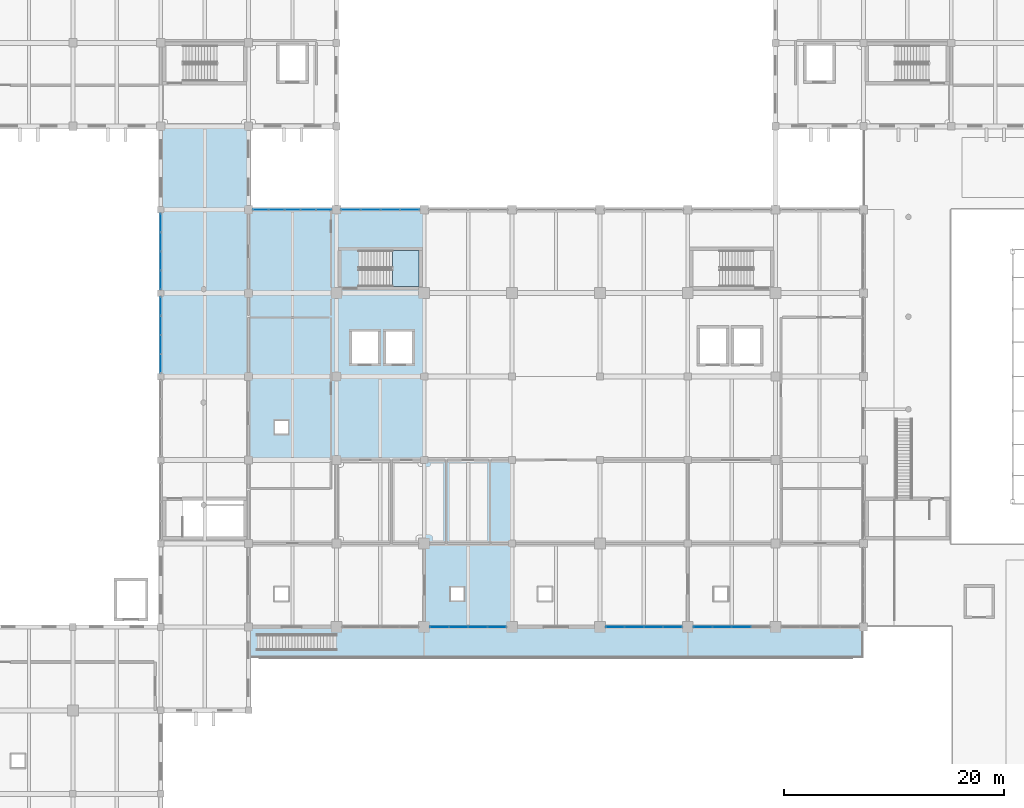
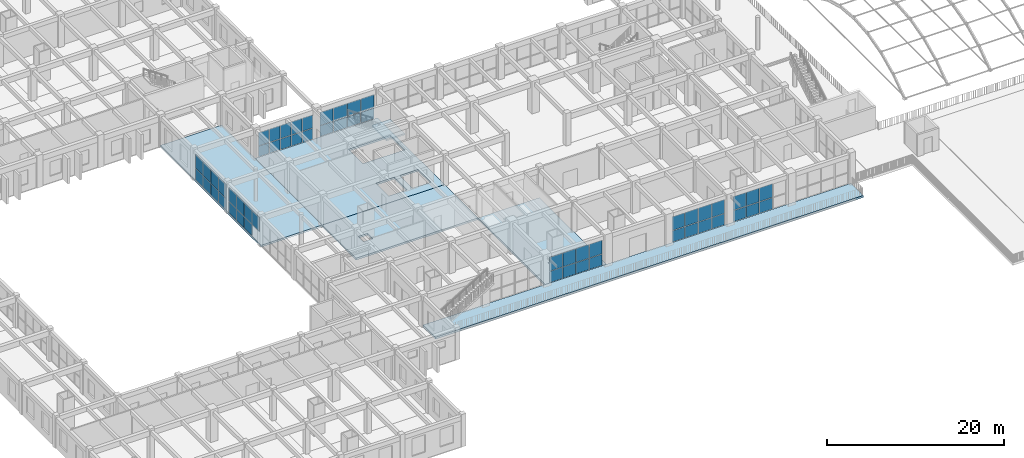
# One storey, part 43 of 79: 55 plates, 6 slabs, 8 elements without a shape of their own.
"""IFC4 building model written with IfcOpenShell, lengths in metres."""

from ifc_helpers import new_model, si_unit, direction, frame, origin, origin_2d, place, context, subcontext, project, spatial, polyline, rectangle, outline, extrude, material, layer, layer_set, type_object, element, aggregate, save


model = new_model("IFC4")

# Units and contexts
model_context = context("Model", 3, precision=1e-05, world=origin(), true_north=direction((0.0, 1.0)))
body_context = subcontext(model_context, "Body", "Model", "MODEL_VIEW")
ifc_project = project(units=[si_unit("LENGTHUNIT", "METRE"), si_unit("AREAUNIT", "SQUARE_METRE"), si_unit("VOLUMEUNIT", "CUBIC_METRE"), si_unit("PLANEANGLEUNIT", "RADIAN"), si_unit("MASSUNIT", "GRAM", prefix="KILO")], contexts=[model_context])

# Site, building, storey
site_placement = place(None, origin())
site = spatial("IfcSite", under=ifc_project, at=site_placement, CompositionType="ELEMENT")
building_placement = place(site_placement, origin())
building = spatial("IfcBuilding", under=site, at=building_placement, Name="Zantavel Square City Hall", CompositionType="ELEMENT")
storey_placement = place(building_placement, frame((0.0, 0.0, 10.199951171875)))
storey = spatial("IfcBuildingStorey", under=building, at=storey_placement, Name="L03", CompositionType="ELEMENT", Elevation=10.199951171875)

# Stair, slab
ifc_material_1 = material(Name="Concrete C35/45", Category="concrete")
stair_type = type_object("IfcStairType", Name="Enclosed Core Dogleg Stair L03 H4500", PredefinedType="HALF_TURN_STAIR", material=ifc_material_1)
stair_placement = place(storey_placement, origin())
stair = element("IfcStair", 1, at=stair_placement, inside=storey, type_object=stair_type, Name="L03 Exit Stair 5 Central West Core", PredefinedType="HALF_TURN_STAIR")
ifc_layer_1 = layer(ifc_material_1, 0.2099609375, Name="Concrete C35/45")
ifc_layer_set_1 = layer_set([ifc_layer_1], Name="Concrete C35/45")
slab_type_1 = type_object("IfcSlabType", Name="Core Stair Half-Landing Slab C35/45", PredefinedType="LANDING", material=ifc_layer_set_1)
slab_1_placement = place(storey_placement, frame((0.0, 0.0, 2.050048828125)))
slab_1 = element("IfcSlab", 2, at=slab_1_placement, type_object=slab_type_1, Name="ST5 landing 1", PredefinedType="LANDING", context=body_context, shape_type="SweptSolid", body=[
    extrude(outline(polyline([(69.110107421875, 61.39990234375), (71.530029296875, 61.39990234375), (71.530029296875, 64.669921875), (69.110107421875, 64.669921875), (69.110107421875, 61.39990234375)])), origin(), (0.0, 0.0, 1.0), 0.199951171875),
])
aggregate(stair, [slab_1])

# Slabs
ifc_layer_2 = layer(ifc_material_1, 0.260009765625, Name="Concrete C35/45")
ifc_layer_set_2 = layer_set([ifc_layer_2], Name="Concrete C35/45")
slab_type_2 = type_object("IfcSlabType", Name="Council & Executive Slab 260mm C35/45", PredefinedType="FLOOR", material=ifc_layer_set_2)
slab_2_placement = place(storey_placement, frame((0.0, 0.0, -0.260009765625)))
element("IfcSlab", 3, at=slab_2_placement, inside=storey, type_object=slab_type_2, Name="L03 Floor Slab SLB-L03-V1-02", PredefinedType="FLOOR", context=body_context, shape_type="SweptSolid", body=[
    extrude(outline(polyline([(80.0, 30.39990234375), (72.0, 30.39990234375), (72.0, 45.60009765625), (80.0, 45.60009765625), (80.0, 30.39990234375)]), holes=[polyline([(75.60009765625, 34.0), (74.39990234375, 34.0), (74.39990234375, 32.800048828125), (75.60009765625, 32.800048828125), (75.60009765625, 34.0)])]), origin(), (0.0, 0.0, 1.0), 0.260009765625),
])
slab_3_placement = place(storey_placement, frame((0.0, 0.0, -0.260009765625)))
element("IfcSlab", 4, at=slab_3_placement, inside=storey, type_object=slab_type_2, Name="L03 Floor Slab SLB-L03-V1-05", PredefinedType="FLOOR", context=body_context, shape_type="SweptSolid", body=[
    extrude(outline(polyline([(72.0, 53.199951171875), (72.0, 45.60009765625), (56.0, 45.60009765625), (56.0, 53.199951171875), (72.0, 53.199951171875)]), holes=[polyline([(59.60009765625, 49.199951171875), (58.39990234375, 49.199951171875), (58.39990234375, 48.0), (59.60009765625, 48.0), (59.60009765625, 49.199951171875)])]), origin(), (0.0, 0.0, 1.0), 0.260009765625),
])
slab_4_placement = place(storey_placement, frame((0.0, 0.0, -0.260009765625)))
element("IfcSlab", 5, at=slab_4_placement, inside=storey, type_object=slab_type_2, Name="L03 Floor Slab SLB-L03-V1-09", PredefinedType="FLOOR", context=body_context, shape_type="SweptSolid", body=[
    extrude(outline(polyline([(56.0, 53.199951171875), (56.0, 68.39990234375), (72.0, 68.39990234375), (72.0, 53.199951171875), (56.0, 53.199951171875)]), holes=[polyline([(66.050048828125, 61.39990234375), (71.530029296875, 61.39990234375), (71.530029296875, 64.669921875), (66.050048828125, 64.669921875), (66.050048828125, 61.39990234375)]), polyline([(65.39990234375, 57.300048828125), (65.39990234375, 54.39990234375), (67.800048828125, 54.39990234375), (67.800048828125, 57.300048828125), (65.39990234375, 57.300048828125)]), polyline([(70.89990234375, 57.300048828125), (68.5, 57.300048828125), (68.5, 54.39990234375), (70.89990234375, 54.39990234375), (70.89990234375, 57.300048828125)])]), origin(), (0.0, 0.0, 1.0), 0.260009765625),
])
slab_5_placement = place(storey_placement, frame((0.0, 0.0, -0.260009765625)))
element("IfcSlab", 6, at=slab_5_placement, inside=storey, type_object=slab_type_2, Name="L03 Floor Slab SLB-L03-V3E-02", PredefinedType="FLOOR", context=body_context, shape_type="SweptSolid", body=[
    extrude(outline(polyline([(56.0, 53.199951171875), (48.0, 53.199951171875), (48.0, 76.0), (56.0, 76.0), (56.0, 68.39990234375), (56.0, 53.199951171875)])), origin(), (0.0, 0.0, 1.0), 0.260009765625),
])

# Curtain wall, plates
ifc_material_2 = material(Name="Anodised aluminium 6063-T6", Category="aluminium")
curtain_wall_type_1 = type_object("IfcCurtainWallType", Name="Curtain Wall TRV1 7225x3470", PredefinedType="USERDEFINED", material=ifc_material_2)
curtain_wall_1_placement = place(storey_placement, origin())
curtain_wall_1 = element("IfcCurtainWall", 7, at=curtain_wall_1_placement, inside=storey, type_object=curtain_wall_type_1, Name="L03 Glazed Curtain Wall CW-L03-083", ObjectType="GLAZED CURTAIN WALL", PredefinedType="USERDEFINED")
ifc_material_3 = material(Name="Tempered safety glass low-E double glazing", Category="glass")
ifc_layer_3 = layer(ifc_material_3, 0.028076171875, Name="Tempered safety glass low-E double glazing")
ifc_layer_set_3 = layer_set([ifc_layer_3], Name="Tempered safety glass low-E double glazing")
plate_type_1 = type_object("IfcPlateType", Name="Low-E Curtain Glazing Panel 1445x1735x28", PredefinedType="CURTAIN_PANEL", material=ifc_layer_set_3)
plate_1_placement = place(storey_placement, frame((57.112548828125, 68.39990234375, 0.06005859375), z_axis=(0.0, 0.0, 1.0), x_axis=(1.0, 0.0, 0.0)))
plate_1 = element("IfcPlate", 8, at=plate_1_placement, type_object=plate_type_1, Name="CW-083 panel 1.1", PredefinedType="CURTAIN_PANEL", context=body_context, shape_type="SweptSolid", body=[
    extrude(rectangle(XDim=1.35498046875, YDim=0.028076171875, at=origin_2d()), origin(), (0.0, 0.0, 1.0), 1.471923828125),
])
plate_2_placement = place(storey_placement, frame((57.112548828125, 68.39990234375, 1.591796875), z_axis=(0.0, 0.0, 1.0), x_axis=(1.0, 0.0, 0.0)))
plate_2 = element("IfcPlate", 9, at=plate_2_placement, type_object=plate_type_1, Name="CW-083 panel 1.2", PredefinedType="CURTAIN_PANEL", context=body_context, shape_type="SweptSolid", body=[
    extrude(rectangle(XDim=1.35498046875, YDim=0.028076171875, at=origin_2d()), origin(), (0.0, 0.0, 1.0), 1.818115234375),
])
plate_3_placement = place(storey_placement, frame((58.54248046875, 68.39990234375, 0.06005859375), z_axis=(0.0, 0.0, 1.0), x_axis=(1.0, 0.0, 0.0)))
plate_3 = element("IfcPlate", 10, at=plate_3_placement, type_object=plate_type_1, Name="CW-083 panel 2.1", PredefinedType="CURTAIN_PANEL", context=body_context, shape_type="SweptSolid", body=[
    extrude(rectangle(XDim=1.385009765625, YDim=0.028076171875, at=origin_2d()), origin(), (0.0, 0.0, 1.0), 1.471923828125),
])
plate_4_placement = place(storey_placement, frame((58.54248046875, 68.39990234375, 1.591796875), z_axis=(0.0, 0.0, 1.0), x_axis=(1.0, 0.0, 0.0)))
plate_4 = element("IfcPlate", 11, at=plate_4_placement, type_object=plate_type_1, Name="CW-083 panel 2.2", PredefinedType="CURTAIN_PANEL", context=body_context, shape_type="SweptSolid", body=[
    extrude(rectangle(XDim=1.385009765625, YDim=0.028076171875, at=origin_2d()), origin(), (0.0, 0.0, 1.0), 1.818115234375),
])
plate_5_placement = place(storey_placement, frame((59.987548828125, 68.39990234375, 0.06005859375), z_axis=(0.0, 0.0, 1.0), x_axis=(1.0, 0.0, 0.0)))
plate_5 = element("IfcPlate", 12, at=plate_5_placement, type_object=plate_type_1, Name="CW-083 panel 3.1", PredefinedType="CURTAIN_PANEL", context=body_context, shape_type="SweptSolid", body=[
    extrude(rectangle(XDim=1.385009765625, YDim=0.028076171875, at=origin_2d()), origin(), (0.0, 0.0, 1.0), 1.471923828125),
])
plate_6_placement = place(storey_placement, frame((59.987548828125, 68.39990234375, 1.591796875), z_axis=(0.0, 0.0, 1.0), x_axis=(1.0, 0.0, 0.0)))
plate_6 = element("IfcPlate", 13, at=plate_6_placement, type_object=plate_type_1, Name="CW-083 panel 3.2", PredefinedType="CURTAIN_PANEL", context=body_context, shape_type="SweptSolid", body=[
    extrude(rectangle(XDim=1.385009765625, YDim=0.028076171875, at=origin_2d()), origin(), (0.0, 0.0, 1.0), 1.818115234375),
])
plate_7_placement = place(storey_placement, frame((61.4326171875, 68.39990234375, 0.06005859375), z_axis=(0.0, 0.0, 1.0), x_axis=(1.0, 0.0, 0.0)))
plate_7 = element("IfcPlate", 14, at=plate_7_placement, type_object=plate_type_1, Name="CW-083 panel 4.1", PredefinedType="CURTAIN_PANEL", context=body_context, shape_type="SweptSolid", body=[
    extrude(rectangle(XDim=1.385009765625, YDim=0.028076171875, at=origin_2d()), origin(), (0.0, 0.0, 1.0), 1.471923828125),
])
plate_8_placement = place(storey_placement, frame((61.4326171875, 68.39990234375, 1.591796875), z_axis=(0.0, 0.0, 1.0), x_axis=(1.0, 0.0, 0.0)))
plate_8 = element("IfcPlate", 15, at=plate_8_placement, type_object=plate_type_1, Name="CW-083 panel 4.2", PredefinedType="CURTAIN_PANEL", context=body_context, shape_type="SweptSolid", body=[
    extrude(rectangle(XDim=1.385009765625, YDim=0.028076171875, at=origin_2d()), origin(), (0.0, 0.0, 1.0), 1.818115234375),
])
plate_9_placement = place(storey_placement, frame((62.862548828125, 68.39990234375, 0.06005859375), z_axis=(0.0, 0.0, 1.0), x_axis=(1.0, 0.0, 0.0)))
plate_9 = element("IfcPlate", 16, at=plate_9_placement, type_object=plate_type_1, Name="CW-083 panel 5.1", PredefinedType="CURTAIN_PANEL", context=body_context, shape_type="SweptSolid", body=[
    extrude(rectangle(XDim=1.35498046875, YDim=0.028076171875, at=origin_2d()), origin(), (0.0, 0.0, 1.0), 1.471923828125),
])
plate_10_placement = place(storey_placement, frame((62.862548828125, 68.39990234375, 1.591796875), z_axis=(0.0, 0.0, 1.0), x_axis=(1.0, 0.0, 0.0)))
plate_10 = element("IfcPlate", 17, at=plate_10_placement, type_object=plate_type_1, Name="CW-083 panel 5.2", PredefinedType="CURTAIN_PANEL", context=body_context, shape_type="SweptSolid", body=[
    extrude(rectangle(XDim=1.35498046875, YDim=0.028076171875, at=origin_2d()), origin(), (0.0, 0.0, 1.0), 1.818115234375),
])
aggregate(curtain_wall_1, [plate_1, plate_2, plate_3, plate_4, plate_5, plate_6, plate_7, plate_8, plate_9, plate_10])

curtain_wall_type_2 = type_object("IfcCurtainWallType", Name="Curtain Wall TRV1 7000x3620", PredefinedType="USERDEFINED", material=ifc_material_2)
curtain_wall_2_placement = place(storey_placement, origin())
curtain_wall_2 = element("IfcCurtainWall", 18, at=curtain_wall_2_placement, inside=storey, type_object=curtain_wall_type_2, Name="L03 Glazed Curtain Wall CW-L03-095", ObjectType="GLAZED CURTAIN WALL", PredefinedType="USERDEFINED")
ifc_layer_4 = layer(ifc_material_3, 0.028076171875, Name="Tempered safety glass low-E double glazing")
ifc_layer_set_4 = layer_set([ifc_layer_4], Name="Tempered safety glass low-E double glazing")
plate_type_2 = type_object("IfcPlateType", Name="Low-E Curtain Glazing Panel 1750x1810x28", PredefinedType="CURTAIN_PANEL", material=ifc_layer_set_4)
plate_11_placement = place(storey_placement, frame((100.875, 30.39990234375, 0.06005859375), z_axis=(0.0, 0.0, 1.0), x_axis=(-1.0, 0.0, 0.0)))
plate_11 = element("IfcPlate", 19, at=plate_11_placement, type_object=plate_type_2, Name="CW-095 panel 2.1", PredefinedType="CURTAIN_PANEL", context=body_context, shape_type="SweptSolid", body=[
    extrude(rectangle(XDim=1.68994140625, YDim=0.028076171875, at=origin_2d()), origin(), (0.0, 0.0, 1.0), 1.5390625),
])
plate_12_placement = place(storey_placement, frame((100.875, 30.39990234375, 1.6591796875), z_axis=(0.0, 0.0, 1.0), x_axis=(-1.0, 0.0, 0.0)))
plate_12 = element("IfcPlate", 20, at=plate_12_placement, type_object=plate_type_2, Name="CW-095 panel 2.2", PredefinedType="CURTAIN_PANEL", context=body_context, shape_type="SweptSolid", body=[
    extrude(rectangle(XDim=1.68994140625, YDim=0.028076171875, at=origin_2d()), origin(), (0.0, 0.0, 1.0), 1.90087890625),
])
plate_13_placement = place(storey_placement, frame((99.125, 30.39990234375, 0.06005859375), z_axis=(0.0, 0.0, 1.0), x_axis=(-1.0, 0.0, 0.0)))
plate_13 = element("IfcPlate", 21, at=plate_13_placement, type_object=plate_type_2, Name="CW-095 panel 3.1", PredefinedType="CURTAIN_PANEL", context=body_context, shape_type="SweptSolid", body=[
    extrude(rectangle(XDim=1.68994140625, YDim=0.028076171875, at=origin_2d()), origin(), (0.0, 0.0, 1.0), 1.5390625),
])
plate_14_placement = place(storey_placement, frame((99.125, 30.39990234375, 1.6591796875), z_axis=(0.0, 0.0, 1.0), x_axis=(-1.0, 0.0, 0.0)))
plate_14 = element("IfcPlate", 22, at=plate_14_placement, type_object=plate_type_2, Name="CW-095 panel 3.2", PredefinedType="CURTAIN_PANEL", context=body_context, shape_type="SweptSolid", body=[
    extrude(rectangle(XDim=1.68994140625, YDim=0.028076171875, at=origin_2d()), origin(), (0.0, 0.0, 1.0), 1.90087890625),
])
plate_15_placement = place(storey_placement, frame((97.389892578125, 30.39990234375, 0.06005859375), z_axis=(0.0, 0.0, 1.0), x_axis=(-1.0, 0.0, 0.0)))
plate_15 = element("IfcPlate", 23, at=plate_15_placement, type_object=plate_type_2, Name="CW-095 panel 4.1", PredefinedType="CURTAIN_PANEL", context=body_context, shape_type="SweptSolid", body=[
    extrude(rectangle(XDim=1.659912109375, YDim=0.028076171875, at=origin_2d()), origin(), (0.0, 0.0, 1.0), 1.5390625),
])
plate_16_placement = place(storey_placement, frame((97.389892578125, 30.39990234375, 1.6591796875), z_axis=(0.0, 0.0, 1.0), x_axis=(-1.0, 0.0, 0.0)))
plate_16 = element("IfcPlate", 24, at=plate_16_placement, type_object=plate_type_2, Name="CW-095 panel 4.2", PredefinedType="CURTAIN_PANEL", context=body_context, shape_type="SweptSolid", body=[
    extrude(rectangle(XDim=1.659912109375, YDim=0.028076171875, at=origin_2d()), origin(), (0.0, 0.0, 1.0), 1.90087890625),
])
aggregate(curtain_wall_2, [plate_11, plate_12, plate_13, plate_14, plate_15, plate_16])

curtain_wall_3_placement = place(storey_placement, origin())
curtain_wall_3 = element("IfcCurtainWall", 25, at=curtain_wall_3_placement, inside=storey, type_object=curtain_wall_type_2, Name="L03 Glazed Curtain Wall CW-L03-096", ObjectType="GLAZED CURTAIN WALL", PredefinedType="USERDEFINED")
plate_17_placement = place(storey_placement, frame((94.610107421875, 30.39990234375, 0.06005859375), z_axis=(0.0, 0.0, 1.0), x_axis=(-1.0, 0.0, 0.0)))
plate_17 = element("IfcPlate", 26, at=plate_17_placement, type_object=plate_type_2, Name="CW-096 panel 1.1", PredefinedType="CURTAIN_PANEL", context=body_context, shape_type="SweptSolid", body=[
    extrude(rectangle(XDim=1.659912109375, YDim=0.028076171875, at=origin_2d()), origin(), (0.0, 0.0, 1.0), 1.5390625),
])
plate_18_placement = place(storey_placement, frame((94.610107421875, 30.39990234375, 1.6591796875), z_axis=(0.0, 0.0, 1.0), x_axis=(-1.0, 0.0, 0.0)))
plate_18 = element("IfcPlate", 27, at=plate_18_placement, type_object=plate_type_2, Name="CW-096 panel 1.2", PredefinedType="CURTAIN_PANEL", context=body_context, shape_type="SweptSolid", body=[
    extrude(rectangle(XDim=1.659912109375, YDim=0.028076171875, at=origin_2d()), origin(), (0.0, 0.0, 1.0), 1.90087890625),
])
plate_19_placement = place(storey_placement, frame((92.875, 30.39990234375, 0.06005859375), z_axis=(0.0, 0.0, 1.0), x_axis=(-1.0, 0.0, 0.0)))
plate_19 = element("IfcPlate", 28, at=plate_19_placement, type_object=plate_type_2, Name="CW-096 panel 2.1", PredefinedType="CURTAIN_PANEL", context=body_context, shape_type="SweptSolid", body=[
    extrude(rectangle(XDim=1.68994140625, YDim=0.028076171875, at=origin_2d()), origin(), (0.0, 0.0, 1.0), 1.5390625),
])
plate_20_placement = place(storey_placement, frame((92.875, 30.39990234375, 1.6591796875), z_axis=(0.0, 0.0, 1.0), x_axis=(-1.0, 0.0, 0.0)))
plate_20 = element("IfcPlate", 29, at=plate_20_placement, type_object=plate_type_2, Name="CW-096 panel 2.2", PredefinedType="CURTAIN_PANEL", context=body_context, shape_type="SweptSolid", body=[
    extrude(rectangle(XDim=1.68994140625, YDim=0.028076171875, at=origin_2d()), origin(), (0.0, 0.0, 1.0), 1.90087890625),
])
plate_21_placement = place(storey_placement, frame((91.125, 30.39990234375, 0.06005859375), z_axis=(0.0, 0.0, 1.0), x_axis=(-1.0, 0.0, 0.0)))
plate_21 = element("IfcPlate", 30, at=plate_21_placement, type_object=plate_type_2, Name="CW-096 panel 3.1", PredefinedType="CURTAIN_PANEL", context=body_context, shape_type="SweptSolid", body=[
    extrude(rectangle(XDim=1.68994140625, YDim=0.028076171875, at=origin_2d()), origin(), (0.0, 0.0, 1.0), 1.5390625),
])
plate_22_placement = place(storey_placement, frame((91.125, 30.39990234375, 1.6591796875), z_axis=(0.0, 0.0, 1.0), x_axis=(-1.0, 0.0, 0.0)))
plate_22 = element("IfcPlate", 31, at=plate_22_placement, type_object=plate_type_2, Name="CW-096 panel 3.2", PredefinedType="CURTAIN_PANEL", context=body_context, shape_type="SweptSolid", body=[
    extrude(rectangle(XDim=1.68994140625, YDim=0.028076171875, at=origin_2d()), origin(), (0.0, 0.0, 1.0), 1.90087890625),
])
plate_23_placement = place(storey_placement, frame((89.389892578125, 30.39990234375, 0.06005859375), z_axis=(0.0, 0.0, 1.0), x_axis=(-1.0, 0.0, 0.0)))
plate_23 = element("IfcPlate", 32, at=plate_23_placement, type_object=plate_type_2, Name="CW-096 panel 4.1", PredefinedType="CURTAIN_PANEL", context=body_context, shape_type="SweptSolid", body=[
    extrude(rectangle(XDim=1.659912109375, YDim=0.028076171875, at=origin_2d()), origin(), (0.0, 0.0, 1.0), 1.5390625),
])
plate_24_placement = place(storey_placement, frame((89.389892578125, 30.39990234375, 1.6591796875), z_axis=(0.0, 0.0, 1.0), x_axis=(-1.0, 0.0, 0.0)))
plate_24 = element("IfcPlate", 33, at=plate_24_placement, type_object=plate_type_2, Name="CW-096 panel 4.2", PredefinedType="CURTAIN_PANEL", context=body_context, shape_type="SweptSolid", body=[
    extrude(rectangle(XDim=1.659912109375, YDim=0.028076171875, at=origin_2d()), origin(), (0.0, 0.0, 1.0), 1.90087890625),
])
aggregate(curtain_wall_3, [plate_17, plate_18, plate_19, plate_20, plate_21, plate_22, plate_23, plate_24])

curtain_wall_4_placement = place(storey_placement, origin())
curtain_wall_4 = element("IfcCurtainWall", 34, at=curtain_wall_4_placement, inside=storey, type_object=curtain_wall_type_2, Name="L03 Glazed Curtain Wall CW-L03-097", ObjectType="GLAZED CURTAIN WALL", PredefinedType="USERDEFINED")
plate_25_placement = place(storey_placement, frame((78.610107421875, 30.39990234375, 0.06005859375), z_axis=(0.0, 0.0, 1.0), x_axis=(-1.0, 0.0, 0.0)))
plate_25 = element("IfcPlate", 35, at=plate_25_placement, type_object=plate_type_2, Name="CW-097 panel 1.1", PredefinedType="CURTAIN_PANEL", context=body_context, shape_type="SweptSolid", body=[
    extrude(rectangle(XDim=1.659912109375, YDim=0.028076171875, at=origin_2d()), origin(), (0.0, 0.0, 1.0), 1.5390625),
])
plate_26_placement = place(storey_placement, frame((78.610107421875, 30.39990234375, 1.6591796875), z_axis=(0.0, 0.0, 1.0), x_axis=(-1.0, 0.0, 0.0)))
plate_26 = element("IfcPlate", 36, at=plate_26_placement, type_object=plate_type_2, Name="CW-097 panel 1.2", PredefinedType="CURTAIN_PANEL", context=body_context, shape_type="SweptSolid", body=[
    extrude(rectangle(XDim=1.659912109375, YDim=0.028076171875, at=origin_2d()), origin(), (0.0, 0.0, 1.0), 1.90087890625),
])
plate_27_placement = place(storey_placement, frame((76.875, 30.39990234375, 0.06005859375), z_axis=(0.0, 0.0, 1.0), x_axis=(-1.0, 0.0, 0.0)))
plate_27 = element("IfcPlate", 37, at=plate_27_placement, type_object=plate_type_2, Name="CW-097 panel 2.1", PredefinedType="CURTAIN_PANEL", context=body_context, shape_type="SweptSolid", body=[
    extrude(rectangle(XDim=1.68994140625, YDim=0.028076171875, at=origin_2d()), origin(), (0.0, 0.0, 1.0), 1.5390625),
])
plate_28_placement = place(storey_placement, frame((76.875, 30.39990234375, 1.6591796875), z_axis=(0.0, 0.0, 1.0), x_axis=(-1.0, 0.0, 0.0)))
plate_28 = element("IfcPlate", 38, at=plate_28_placement, type_object=plate_type_2, Name="CW-097 panel 2.2", PredefinedType="CURTAIN_PANEL", context=body_context, shape_type="SweptSolid", body=[
    extrude(rectangle(XDim=1.68994140625, YDim=0.028076171875, at=origin_2d()), origin(), (0.0, 0.0, 1.0), 1.90087890625),
])
plate_29_placement = place(storey_placement, frame((75.125, 30.39990234375, 0.06005859375), z_axis=(0.0, 0.0, 1.0), x_axis=(-1.0, 0.0, 0.0)))
plate_29 = element("IfcPlate", 39, at=plate_29_placement, type_object=plate_type_2, Name="CW-097 panel 3.1", PredefinedType="CURTAIN_PANEL", context=body_context, shape_type="SweptSolid", body=[
    extrude(rectangle(XDim=1.68994140625, YDim=0.028076171875, at=origin_2d()), origin(), (0.0, 0.0, 1.0), 1.5390625),
])
plate_30_placement = place(storey_placement, frame((75.125, 30.39990234375, 1.6591796875), z_axis=(0.0, 0.0, 1.0), x_axis=(-1.0, 0.0, 0.0)))
plate_30 = element("IfcPlate", 40, at=plate_30_placement, type_object=plate_type_2, Name="CW-097 panel 3.2", PredefinedType="CURTAIN_PANEL", context=body_context, shape_type="SweptSolid", body=[
    extrude(rectangle(XDim=1.68994140625, YDim=0.028076171875, at=origin_2d()), origin(), (0.0, 0.0, 1.0), 1.90087890625),
])
plate_31_placement = place(storey_placement, frame((73.389892578125, 30.39990234375, 0.06005859375), z_axis=(0.0, 0.0, 1.0), x_axis=(-1.0, 0.0, 0.0)))
plate_31 = element("IfcPlate", 41, at=plate_31_placement, type_object=plate_type_2, Name="CW-097 panel 4.1", PredefinedType="CURTAIN_PANEL", context=body_context, shape_type="SweptSolid", body=[
    extrude(rectangle(XDim=1.659912109375, YDim=0.028076171875, at=origin_2d()), origin(), (0.0, 0.0, 1.0), 1.5390625),
])
plate_32_placement = place(storey_placement, frame((73.389892578125, 30.39990234375, 1.6591796875), z_axis=(0.0, 0.0, 1.0), x_axis=(-1.0, 0.0, 0.0)))
plate_32 = element("IfcPlate", 42, at=plate_32_placement, type_object=plate_type_2, Name="CW-097 panel 4.2", PredefinedType="CURTAIN_PANEL", context=body_context, shape_type="SweptSolid", body=[
    extrude(rectangle(XDim=1.659912109375, YDim=0.028076171875, at=origin_2d()), origin(), (0.0, 0.0, 1.0), 1.90087890625),
])
aggregate(curtain_wall_4, [plate_25, plate_26, plate_27, plate_28, plate_29, plate_30, plate_31, plate_32])

curtain_wall_type_3 = type_object("IfcCurtainWallType", Name="Curtain Wall CRT 7000x3670", PredefinedType="USERDEFINED", material=ifc_material_2)
curtain_wall_5_placement = place(storey_placement, origin())
curtain_wall_5 = element("IfcCurtainWall", 43, at=curtain_wall_5_placement, inside=storey, type_object=curtain_wall_type_3, Name="L03 Glazed Curtain Wall CW-L03-103", ObjectType="GLAZED CURTAIN WALL", PredefinedType="USERDEFINED")
ifc_layer_5 = layer(ifc_material_3, 0.028076171875, Name="Tempered safety glass low-E double glazing")
ifc_layer_set_5 = layer_set([ifc_layer_5], Name="Tempered safety glass low-E double glazing")
plate_type_3 = type_object("IfcPlateType", Name="Low-E Curtain Glazing Panel 1750x1835x28", PredefinedType="CURTAIN_PANEL", material=ifc_layer_set_5)
plate_33_placement = place(storey_placement, frame((48.0, 54.389892578125, 1.68115234375), z_axis=(0.0, 0.0, 1.0), x_axis=(0.0, 1.0, 0.0)))
plate_33 = element("IfcPlate", 44, at=plate_33_placement, type_object=plate_type_3, Name="CW-103 panel 1.2", PredefinedType="CURTAIN_PANEL", context=body_context, shape_type="SweptSolid", body=[
    extrude(rectangle(XDim=1.659912109375, YDim=0.028076171875, at=origin_2d()), origin(), (0.0, 0.0, 1.0), 1.928955078125),
])
plate_34_placement = place(storey_placement, frame((48.0, 56.125, 0.06005859375), z_axis=(0.0, 0.0, 1.0), x_axis=(0.0, 1.0, 0.0)))
plate_34 = element("IfcPlate", 45, at=plate_34_placement, type_object=plate_type_3, Name="CW-103 panel 2.1", PredefinedType="CURTAIN_PANEL", context=body_context, shape_type="SweptSolid", body=[
    extrude(rectangle(XDim=1.68994140625, YDim=0.028076171875, at=origin_2d()), origin(), (0.0, 0.0, 1.0), 1.56103515625),
])
plate_35_placement = place(storey_placement, frame((48.0, 56.125, 1.68115234375), z_axis=(0.0, 0.0, 1.0), x_axis=(0.0, 1.0, 0.0)))
plate_35 = element("IfcPlate", 46, at=plate_35_placement, type_object=plate_type_3, Name="CW-103 panel 2.2", PredefinedType="CURTAIN_PANEL", context=body_context, shape_type="SweptSolid", body=[
    extrude(rectangle(XDim=1.68994140625, YDim=0.028076171875, at=origin_2d()), origin(), (0.0, 0.0, 1.0), 1.928955078125),
])
plate_36_placement = place(storey_placement, frame((48.0, 57.875, 0.06005859375), z_axis=(0.0, 0.0, 1.0), x_axis=(0.0, 1.0, 0.0)))
plate_36 = element("IfcPlate", 47, at=plate_36_placement, type_object=plate_type_3, Name="CW-103 panel 3.1", PredefinedType="CURTAIN_PANEL", context=body_context, shape_type="SweptSolid", body=[
    extrude(rectangle(XDim=1.68994140625, YDim=0.028076171875, at=origin_2d()), origin(), (0.0, 0.0, 1.0), 1.56103515625),
])
plate_37_placement = place(storey_placement, frame((48.0, 57.875, 1.68115234375), z_axis=(0.0, 0.0, 1.0), x_axis=(0.0, 1.0, 0.0)))
plate_37 = element("IfcPlate", 48, at=plate_37_placement, type_object=plate_type_3, Name="CW-103 panel 3.2", PredefinedType="CURTAIN_PANEL", context=body_context, shape_type="SweptSolid", body=[
    extrude(rectangle(XDim=1.68994140625, YDim=0.028076171875, at=origin_2d()), origin(), (0.0, 0.0, 1.0), 1.928955078125),
])
plate_38_placement = place(storey_placement, frame((48.0, 59.610107421875, 0.06005859375), z_axis=(0.0, 0.0, 1.0), x_axis=(0.0, 1.0, 0.0)))
plate_38 = element("IfcPlate", 49, at=plate_38_placement, type_object=plate_type_3, Name="CW-103 panel 4.1", PredefinedType="CURTAIN_PANEL", context=body_context, shape_type="SweptSolid", body=[
    extrude(rectangle(XDim=1.659912109375, YDim=0.028076171875, at=origin_2d()), origin(), (0.0, 0.0, 1.0), 1.56103515625),
])
plate_39_placement = place(storey_placement, frame((48.0, 59.610107421875, 1.68115234375), z_axis=(0.0, 0.0, 1.0), x_axis=(0.0, 1.0, 0.0)))
plate_39 = element("IfcPlate", 50, at=plate_39_placement, type_object=plate_type_3, Name="CW-103 panel 4.2", PredefinedType="CURTAIN_PANEL", context=body_context, shape_type="SweptSolid", body=[
    extrude(rectangle(XDim=1.659912109375, YDim=0.028076171875, at=origin_2d()), origin(), (0.0, 0.0, 1.0), 1.928955078125),
])
aggregate(curtain_wall_5, [plate_33, plate_34, plate_35, plate_36, plate_37, plate_38, plate_39])

curtain_wall_6_placement = place(storey_placement, origin())
curtain_wall_6 = element("IfcCurtainWall", 51, at=curtain_wall_6_placement, inside=storey, type_object=curtain_wall_type_3, Name="L03 Glazed Curtain Wall CW-L03-104", ObjectType="GLAZED CURTAIN WALL", PredefinedType="USERDEFINED")
plate_40_placement = place(storey_placement, frame((48.0, 61.989990234375, 0.06005859375), z_axis=(0.0, 0.0, 1.0), x_axis=(0.0, 1.0, 0.0)))
plate_40 = element("IfcPlate", 52, at=plate_40_placement, type_object=plate_type_3, Name="CW-104 panel 1.1", PredefinedType="CURTAIN_PANEL", context=body_context, shape_type="SweptSolid", body=[
    extrude(rectangle(XDim=1.659912109375, YDim=0.028076171875, at=origin_2d()), origin(), (0.0, 0.0, 1.0), 1.56103515625),
])
plate_41_placement = place(storey_placement, frame((48.0, 61.989990234375, 1.68115234375), z_axis=(0.0, 0.0, 1.0), x_axis=(0.0, 1.0, 0.0)))
plate_41 = element("IfcPlate", 53, at=plate_41_placement, type_object=plate_type_3, Name="CW-104 panel 1.2", PredefinedType="CURTAIN_PANEL", context=body_context, shape_type="SweptSolid", body=[
    extrude(rectangle(XDim=1.659912109375, YDim=0.028076171875, at=origin_2d()), origin(), (0.0, 0.0, 1.0), 1.928955078125),
])
plate_42_placement = place(storey_placement, frame((48.0, 63.72509765625, 0.06005859375), z_axis=(0.0, 0.0, 1.0), x_axis=(0.0, 1.0, 0.0)))
plate_42 = element("IfcPlate", 54, at=plate_42_placement, type_object=plate_type_3, Name="CW-104 panel 2.1", PredefinedType="CURTAIN_PANEL", context=body_context, shape_type="SweptSolid", body=[
    extrude(rectangle(XDim=1.68994140625, YDim=0.028076171875, at=origin_2d()), origin(), (0.0, 0.0, 1.0), 1.56103515625),
])
plate_43_placement = place(storey_placement, frame((48.0, 63.72509765625, 1.68115234375), z_axis=(0.0, 0.0, 1.0), x_axis=(0.0, 1.0, 0.0)))
plate_43 = element("IfcPlate", 55, at=plate_43_placement, type_object=plate_type_3, Name="CW-104 panel 2.2", PredefinedType="CURTAIN_PANEL", context=body_context, shape_type="SweptSolid", body=[
    extrude(rectangle(XDim=1.68994140625, YDim=0.028076171875, at=origin_2d()), origin(), (0.0, 0.0, 1.0), 1.928955078125),
])
plate_44_placement = place(storey_placement, frame((48.0, 65.47509765625, 0.06005859375), z_axis=(0.0, 0.0, 1.0), x_axis=(0.0, 1.0, 0.0)))
plate_44 = element("IfcPlate", 56, at=plate_44_placement, type_object=plate_type_3, Name="CW-104 panel 3.1", PredefinedType="CURTAIN_PANEL", context=body_context, shape_type="SweptSolid", body=[
    extrude(rectangle(XDim=1.68994140625, YDim=0.028076171875, at=origin_2d()), origin(), (0.0, 0.0, 1.0), 1.56103515625),
])
plate_45_placement = place(storey_placement, frame((48.0, 65.47509765625, 1.68115234375), z_axis=(0.0, 0.0, 1.0), x_axis=(0.0, 1.0, 0.0)))
plate_45 = element("IfcPlate", 57, at=plate_45_placement, type_object=plate_type_3, Name="CW-104 panel 3.2", PredefinedType="CURTAIN_PANEL", context=body_context, shape_type="SweptSolid", body=[
    extrude(rectangle(XDim=1.68994140625, YDim=0.028076171875, at=origin_2d()), origin(), (0.0, 0.0, 1.0), 1.928955078125),
])
plate_46_placement = place(storey_placement, frame((48.0, 67.2099609375, 0.06005859375), z_axis=(0.0, 0.0, 1.0), x_axis=(0.0, 1.0, 0.0)))
plate_46 = element("IfcPlate", 58, at=plate_46_placement, type_object=plate_type_3, Name="CW-104 panel 4.1", PredefinedType="CURTAIN_PANEL", context=body_context, shape_type="SweptSolid", body=[
    extrude(rectangle(XDim=1.659912109375, YDim=0.028076171875, at=origin_2d()), origin(), (0.0, 0.0, 1.0), 1.56103515625),
])
plate_47_placement = place(storey_placement, frame((48.0, 67.2099609375, 1.68115234375), z_axis=(0.0, 0.0, 1.0), x_axis=(0.0, 1.0, 0.0)))
plate_47 = element("IfcPlate", 59, at=plate_47_placement, type_object=plate_type_3, Name="CW-104 panel 4.2", PredefinedType="CURTAIN_PANEL", context=body_context, shape_type="SweptSolid", body=[
    extrude(rectangle(XDim=1.659912109375, YDim=0.028076171875, at=origin_2d()), origin(), (0.0, 0.0, 1.0), 1.928955078125),
])
aggregate(curtain_wall_6, [plate_40, plate_41, plate_42, plate_43, plate_44, plate_45, plate_46, plate_47])

curtain_wall_type_4 = type_object("IfcCurtainWallType", Name="Curtain Wall TRV1 7200x3470", PredefinedType="USERDEFINED", material=ifc_material_2)
curtain_wall_7_placement = place(storey_placement, origin())
curtain_wall_7 = element("IfcCurtainWall", 60, at=curtain_wall_7_placement, inside=storey, type_object=curtain_wall_type_4, Name="L03 Glazed Curtain Wall CW-L03-084", ObjectType="GLAZED CURTAIN WALL", PredefinedType="USERDEFINED")
ifc_layer_6 = layer(ifc_material_3, 0.028076171875, Name="Tempered safety glass low-E double glazing")
ifc_layer_set_6 = layer_set([ifc_layer_6], Name="Tempered safety glass low-E double glazing")
plate_type_4 = type_object("IfcPlateType", Name="Low-E Curtain Glazing Panel 1800x1735x28", PredefinedType="CURTAIN_PANEL", material=ifc_layer_set_6)
plate_48_placement = place(storey_placement, frame((65.31494140625, 68.39990234375, 0.06005859375), z_axis=(0.0, 0.0, 1.0), x_axis=(1.0, 0.0, 0.0)))
plate_48 = element("IfcPlate", 61, at=plate_48_placement, type_object=plate_type_4, Name="CW-084 panel 1.1", PredefinedType="CURTAIN_PANEL", context=body_context, shape_type="SweptSolid", body=[
    extrude(rectangle(XDim=1.7099609375, YDim=0.028076171875, at=origin_2d()), origin(), (0.0, 0.0, 1.0), 1.471923828125),
])
plate_49_placement = place(storey_placement, frame((65.31494140625, 68.39990234375, 1.591796875), z_axis=(0.0, 0.0, 1.0), x_axis=(1.0, 0.0, 0.0)))
plate_49 = element("IfcPlate", 62, at=plate_49_placement, type_object=plate_type_4, Name="CW-084 panel 1.2", PredefinedType="CURTAIN_PANEL", context=body_context, shape_type="SweptSolid", body=[
    extrude(rectangle(XDim=1.7099609375, YDim=0.028076171875, at=origin_2d()), origin(), (0.0, 0.0, 1.0), 1.818115234375),
])
plate_50_placement = place(storey_placement, frame((67.10009765625, 68.39990234375, 0.06005859375), z_axis=(0.0, 0.0, 1.0), x_axis=(1.0, 0.0, 0.0)))
plate_50 = element("IfcPlate", 63, at=plate_50_placement, type_object=plate_type_4, Name="CW-084 panel 2.1", PredefinedType="CURTAIN_PANEL", context=body_context, shape_type="SweptSolid", body=[
    extrude(rectangle(XDim=1.739990234375, YDim=0.028076171875, at=origin_2d()), origin(), (0.0, 0.0, 1.0), 1.471923828125),
])
plate_51_placement = place(storey_placement, frame((67.10009765625, 68.39990234375, 1.591796875), z_axis=(0.0, 0.0, 1.0), x_axis=(1.0, 0.0, 0.0)))
plate_51 = element("IfcPlate", 64, at=plate_51_placement, type_object=plate_type_4, Name="CW-084 panel 2.2", PredefinedType="CURTAIN_PANEL", context=body_context, shape_type="SweptSolid", body=[
    extrude(rectangle(XDim=1.739990234375, YDim=0.028076171875, at=origin_2d()), origin(), (0.0, 0.0, 1.0), 1.818115234375),
])
plate_52_placement = place(storey_placement, frame((68.89990234375, 68.39990234375, 0.06005859375), z_axis=(0.0, 0.0, 1.0), x_axis=(1.0, 0.0, 0.0)))
plate_52 = element("IfcPlate", 65, at=plate_52_placement, type_object=plate_type_4, Name="CW-084 panel 3.1", PredefinedType="CURTAIN_PANEL", context=body_context, shape_type="SweptSolid", body=[
    extrude(rectangle(XDim=1.739990234375, YDim=0.028076171875, at=origin_2d()), origin(), (0.0, 0.0, 1.0), 1.471923828125),
])
plate_53_placement = place(storey_placement, frame((68.89990234375, 68.39990234375, 1.591796875), z_axis=(0.0, 0.0, 1.0), x_axis=(1.0, 0.0, 0.0)))
plate_53 = element("IfcPlate", 66, at=plate_53_placement, type_object=plate_type_4, Name="CW-084 panel 3.2", PredefinedType="CURTAIN_PANEL", context=body_context, shape_type="SweptSolid", body=[
    extrude(rectangle(XDim=1.739990234375, YDim=0.028076171875, at=origin_2d()), origin(), (0.0, 0.0, 1.0), 1.818115234375),
])
plate_54_placement = place(storey_placement, frame((70.68505859375, 68.39990234375, 0.06005859375), z_axis=(0.0, 0.0, 1.0), x_axis=(1.0, 0.0, 0.0)))
plate_54 = element("IfcPlate", 67, at=plate_54_placement, type_object=plate_type_4, Name="CW-084 panel 4.1", PredefinedType="CURTAIN_PANEL", context=body_context, shape_type="SweptSolid", body=[
    extrude(rectangle(XDim=1.7099609375, YDim=0.028076171875, at=origin_2d()), origin(), (0.0, 0.0, 1.0), 1.471923828125),
])
plate_55_placement = place(storey_placement, frame((70.68505859375, 68.39990234375, 1.591796875), z_axis=(0.0, 0.0, 1.0), x_axis=(1.0, 0.0, 0.0)))
plate_55 = element("IfcPlate", 68, at=plate_55_placement, type_object=plate_type_4, Name="CW-084 panel 4.2", PredefinedType="CURTAIN_PANEL", context=body_context, shape_type="SweptSolid", body=[
    extrude(rectangle(XDim=1.7099609375, YDim=0.028076171875, at=origin_2d()), origin(), (0.0, 0.0, 1.0), 1.818115234375),
])
aggregate(curtain_wall_7, [plate_48, plate_49, plate_50, plate_51, plate_52, plate_53, plate_54, plate_55])

# Slab
ifc_material_4 = material(Name="Precast concrete C40/50", Category="concrete")
ifc_layer_7 = layer(ifc_material_4, 0.280029296875, Name="Precast concrete C40/50")
ifc_layer_set_7 = layer_set([ifc_layer_7], Name="Precast concrete C40/50")
slab_type_3 = type_object("IfcSlabType", Name="White Cantera Tray Slab 280mm C40/50", PredefinedType="FLOOR", material=ifc_layer_set_7)
slab_6_placement = place(storey_placement, frame((0.0, 0.0, -0.280029296875)))
element("IfcSlab", 69, at=slab_6_placement, inside=storey, type_object=slab_type_3, Name="L03 Outdoor Terrace Slab SLB-L03-TRAY1-S", PredefinedType="FLOOR", context=body_context, shape_type="SweptSolid", body=[
    extrude(outline(polyline([(112.0, 27.60009765625), (56.0, 27.60009765625), (56.0, 30.39990234375), (72.0, 30.39990234375), (80.0, 30.39990234375), (96.0, 30.39990234375), (112.0, 30.39990234375), (112.0, 27.60009765625)])), origin(), (0.0, 0.0, 1.0), 0.280029296875),
])

save(model, "model.ifc")
